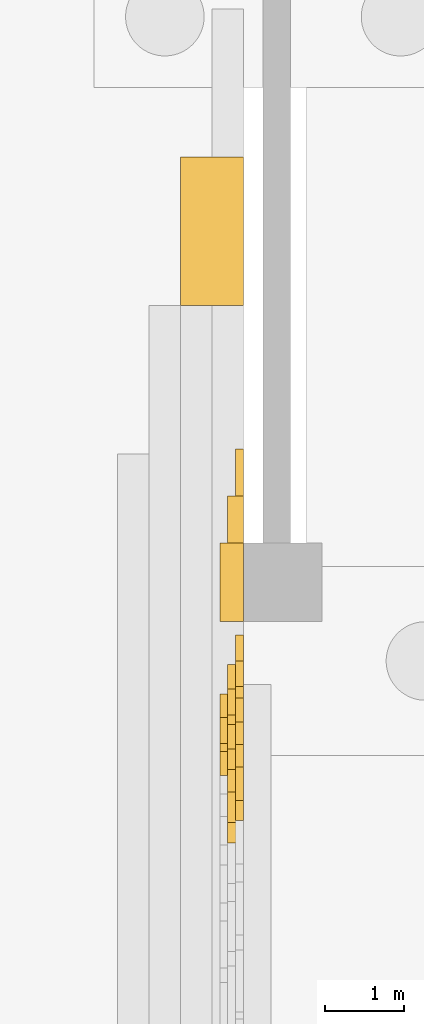
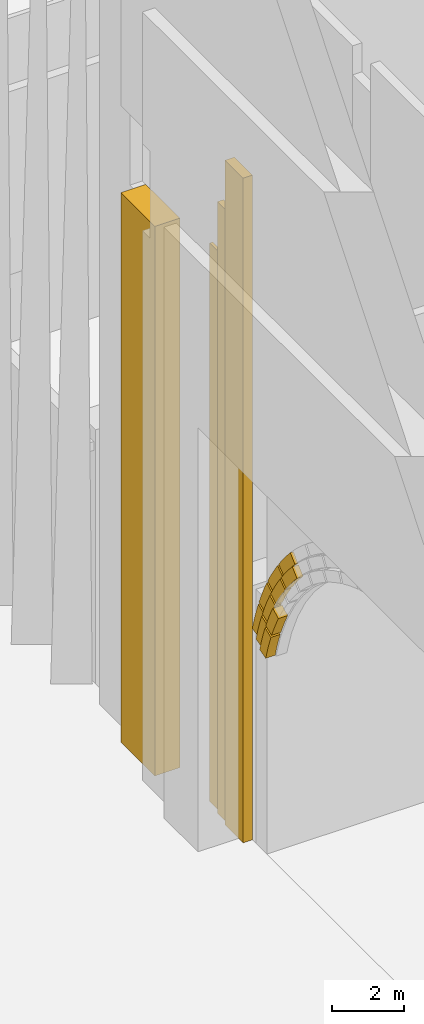
# One storey, part 22 of 32: 14 coverings.
"""IFC4 building model written with IfcOpenShell, lengths in metres."""

import ifcopenshell
import ifcopenshell.guid

model = None  # the IFC model being written
_history = None  # IfcOwnerHistory: only IFC2X3 demands one
_inside = {}  # id of a spatial element -> (the spatial element, [elements in it])
_under = {}  # id of a project, library or spatial element -> (it, [spatial elements below it])
_declared = {}  # id of a project -> (the project, [libraries it declares])
_typed = {}  # id of a type object -> (the type object, [elements of that type])
_made_of = {}  # id of a material, layer set ... -> (it, [elements and type objects made of it])


def new_model(schema):
    """Start an empty IFC model of exactly this schema.

    Asked for "IFC4X3", IfcOpenShell would pick the latest addendum, in which some entities
    have other attributes; the version numbers below select the first issue.
    IFC2X3 requires an IfcOwnerHistory on every rooted entity: one is made here for all.
    """
    global model, _history
    if schema == "IFC4X3":
        model = ifcopenshell.file(schema_version=(4, 3, 0, 0))
    else:
        model = ifcopenshell.file(schema=schema)
    _inside.clear()
    _under.clear()
    _declared.clear()
    _typed.clear()
    _made_of.clear()
    _history = None
    if model.schema == "IFC2X3":
        org = make("IfcOrganization", Name="unknown")
        user = make(
            "IfcPersonAndOrganization",
            ThePerson=make("IfcPerson", FamilyName="unknown"),
            TheOrganization=org,
        )
        app = make(
            "IfcApplication",
            ApplicationDeveloper=org,
            Version="unknown",
            ApplicationFullName="unknown",
            ApplicationIdentifier="unknown",
        )
        _history = make(
            "IfcOwnerHistory",
            OwningUser=user,
            OwningApplication=app,
            ChangeAction="ADDED",
            CreationDate=0,
        )
    return model


def make(cls, **values):
    """One entity of the class cls with the attributes given. An attribute that is None is left unset."""
    return model.create_entity(
        cls, **{name: value for name, value in values.items() if value is not None}
    )


def rooted(cls, **values):
    """An entity with a GlobalId (a new one), such as an element, a storey or a relation."""
    return make(cls, GlobalId=ifcopenshell.guid.new(), OwnerHistory=_history, **values)


def si_unit(unit_type, name, prefix=None):
    """IfcSIUnit, for example si_unit("LENGTHUNIT", "METRE", prefix="MILLI")."""
    return make("IfcSIUnit", UnitType=unit_type, Prefix=prefix, Name=name)


def assignment(units):
    """IfcUnitAssignment: the units of a project."""
    return None if units is None else make("IfcUnitAssignment", Units=units)


def point(xyz):
    """IfcCartesianPoint."""
    return None if xyz is None else make("IfcCartesianPoint", Coordinates=xyz)


def direction(xyz):
    """IfcDirection."""
    return None if xyz is None else make("IfcDirection", DirectionRatios=xyz)


def frame(location, z_axis=None, x_axis=None):
    """IfcAxis2Placement3D, a coordinate frame: its origin and axes. An axis left out is left unset."""
    return make(
        "IfcAxis2Placement3D",
        Location=point(location),
        Axis=direction(z_axis),
        RefDirection=direction(x_axis),
    )


def frame_2d(location, x_axis=None):
    """IfcAxis2Placement2D, a coordinate frame in the plane: its origin and x axis."""
    return make(
        "IfcAxis2Placement2D", Location=point(location), RefDirection=direction(x_axis)
    )


def origin():
    """The frame at (0, 0, 0) with its axes left unset."""
    return frame((0.0, 0.0, 0.0))


def origin_2d():
    """The frame at (0, 0) in the plane with its x axis left unset."""
    return frame_2d((0.0, 0.0))


def place(relative_to, where):
    """IfcLocalPlacement: puts the frame where relative to a parent placement (None: the world)."""
    return make(
        "IfcLocalPlacement", PlacementRelTo=relative_to, RelativePlacement=where
    )


def context(
    kind, dimensions, precision=None, world=None, true_north=None, identifier=None
):
    """IfcGeometricRepresentationContext, for example the 3D "Model" context."""
    return make(
        "IfcGeometricRepresentationContext",
        ContextIdentifier=identifier,
        ContextType=kind,
        CoordinateSpaceDimension=dimensions,
        Precision=precision,
        WorldCoordinateSystem=world,
        TrueNorth=true_north,
    )


def subcontext(parent, identifier, kind, view, scale=None):
    """IfcGeometricRepresentationSubContext, for example "Body" below "Model"."""
    return make(
        "IfcGeometricRepresentationSubContext",
        ContextIdentifier=identifier,
        ContextType=kind,
        ParentContext=parent,
        TargetScale=scale,
        TargetView=view,
    )


def project(units=None, contexts=None):
    """IfcProject with its units and contexts."""
    return rooted(
        "IfcProject",
        Name="project",
        RepresentationContexts=contexts,
        UnitsInContext=assignment(units),
    )


def spatial(cls, under=None, at=None, **own):
    """A site, building, storey or space (cls), placed at a placement, below another one or the project."""
    s = rooted(cls, ObjectPlacement=at, **own)
    if under is not None:
        _under.setdefault(under.id(), (under, []))[1].append(s)
    return s


def polyline(points):
    """IfcPolyline through the points."""
    return make("IfcPolyline", Points=[point(p) for p in points])


def profile(cls, at=None, kind="AREA", **sizes):
    """A parametric profile (cls). Its sizes go by their IFC names, for example OverallWidth=200.0."""
    return make(cls, ProfileType=kind, Position=at, **sizes)


def rectangle(**sizes):
    """IfcRectangleProfileDef."""
    return profile("IfcRectangleProfileDef", **sizes)


def outline(outer, holes=None, kind="AREA"):
    """IfcArbitraryClosedProfileDef: a profile drawn as a closed curve; with holes, ...WithVoids."""
    if holes is None:
        return make("IfcArbitraryClosedProfileDef", ProfileType=kind, OuterCurve=outer)
    return make(
        "IfcArbitraryProfileDefWithVoids",
        ProfileType=kind,
        OuterCurve=outer,
        InnerCurves=holes,
    )


def extrude(swept, where, along, depth):
    """IfcExtrudedAreaSolid: the profile swept, set in the frame where, extruded along a direction by depth."""
    return make(
        "IfcExtrudedAreaSolid",
        SweptArea=swept,
        Position=where,
        ExtrudedDirection=direction(along),
        Depth=depth,
    )


def shape(context_of_items, identifier, shape_type, items):
    """IfcShapeRepresentation: the items that make up one representation, for example the "Body"."""
    return make(
        "IfcShapeRepresentation",
        ContextOfItems=context_of_items,
        RepresentationIdentifier=identifier,
        RepresentationType=shape_type,
        Items=items,
    )


def material(Name=None, Category=None):
    """IfcMaterial."""
    return make("IfcMaterial", Name=Name, Category=Category)


def made_of(thing, what):
    """Note that an element or type object is made of a material, layer set ...; save() writes the relation."""
    if what is not None:
        _made_of.setdefault(what.id(), (what, []))[1].append(thing)
    return thing


def type_object(cls, material=None, **own):
    """A type object (cls), such as IfcWallType, which elements share."""
    return made_of(rooted(cls, **own), material)


def element(
    cls,
    number,
    at=None,
    inside=None,
    cuts=None,
    type_object=None,
    material=None,
    context=None,
    identifier="Body",
    shape_type=None,
    held_by="IfcProductDefinitionShape",
    body=None,
    shapes=None,
    **own,
):
    """One element of the class cls, such as IfcWall. Its Tag is "e" and its number.

    at: its placement. inside: the storey or other place that contains it. cuts: it is an
    opening in that element (IfcRelVoidsElement). A single representation is given by context,
    identifier, shape_type and body (its items); several are given by shapes. held_by: the class
    of the entity that holds the representations. save() writes the other relations.
    """
    e = rooted(cls, Tag="e%d" % number, ObjectPlacement=at, **own)
    if body is not None:
        shapes = [shape(context, identifier, shape_type, body)]
    if shapes is not None:
        e.Representation = make(held_by, Representations=shapes)
    if inside is not None:
        _inside.setdefault(inside.id(), (inside, []))[1].append(e)
    if cuts is not None:
        rooted(
            "IfcRelVoidsElement", RelatingBuildingElement=cuts, RelatedOpeningElement=e
        )
    if type_object is not None:
        _typed.setdefault(type_object.id(), (type_object, []))[1].append(e)
    return made_of(e, material)


def aggregate(whole, parts):
    """IfcRelAggregates: a whole, such as a stair, and the parts it consists of."""
    return rooted("IfcRelAggregates", RelatingObject=whole, RelatedObjects=parts)


def save(model, path):
    """Write the relations noted so far, then the file.

    IfcRelAggregates (storeys below a building ...), IfcRelContainedInSpatialStructure (elements
    in a storey), IfcRelDefinesByType, IfcRelAssociatesMaterial and IfcRelDeclares: one each for
    every whole, place, type object, material and project.
    """
    for whole, parts in _under.values():
        aggregate(whole, parts)
    for where, things in _inside.values():
        rooted(
            "IfcRelContainedInSpatialStructure",
            RelatedElements=things,
            RelatingStructure=where,
        )
    for kind, things in _typed.values():
        rooted("IfcRelDefinesByType", RelatedObjects=things, RelatingType=kind)
    for what, things in _made_of.values():
        rooted("IfcRelAssociatesMaterial", RelatedObjects=things, RelatingMaterial=what)
    for by, libraries in _declared.values():
        rooted("IfcRelDeclares", RelatingContext=by, RelatedDefinitions=libraries)
    model.write(path)


model = new_model("IFC4")

# Units and contexts
model_context = context("Model", 3, precision=1e-05, world=origin(), true_north=direction((0.0, 1.0)))
body_context = subcontext(model_context, "Body", "Model", "MODEL_VIEW")
ifc_project = project(units=[si_unit("LENGTHUNIT", "METRE"), si_unit("AREAUNIT", "SQUARE_METRE"), si_unit("VOLUMEUNIT", "CUBIC_METRE"), si_unit("PLANEANGLEUNIT", "RADIAN"), si_unit("MASSUNIT", "GRAM", prefix="KILO")], contexts=[model_context])

# Site, building, storey
site_placement = place(None, origin())
site = spatial("IfcSite", under=ifc_project, at=site_placement, CompositionType="ELEMENT")
building_placement = place(site_placement, origin())
building = spatial("IfcBuilding", under=site, at=building_placement, Name="Isthmus Gate Tower", CompositionType="ELEMENT")
storey_placement = place(building_placement, origin())
storey = spatial("IfcBuildingStorey", under=building, at=storey_placement, Name="L00", CompositionType="ELEMENT", Elevation=0.0)

# Coverings
ifc_material_1 = material(Name="Precast concrete C50/60, limestone-faced", Category="masonry")
covering_type_1 = type_object("IfcCoveringType", Name="ARCHIVOLT BAND 350 X 100", PredefinedType="CLADDING", material=ifc_material_1)
covering_1_placement = place(storey_placement, frame((-52.10009765625, -11.474365234375, 11.131103515625), z_axis=(-1.0, 0.0, 0.0), x_axis=(0.0, 0.670661695568, -0.741763365298)))
element("IfcCovering", 1, at=covering_1_placement, inside=storey, type_object=covering_type_1, Name="ARCHIVOLT BAND", PredefinedType="CLADDING", context=body_context, shape_type="SweptSolid", body=[
    extrude(outline(polyline([(0.0, 0.0), (0.2540925736123861, 0.0), (0.5080237572438591, 0.007095060120200974), (0.7617935508944189, 0.021285180360602896), (1.0148933884614206, 0.04276881409889838), (0.9803986258258475, 0.39107372738316126), (0.7370234729227035, 0.37048336842294305), (0.4934695712325601, 0.3566432392458004), (0.24940944922437797, 0.3499155289949453), (0.005351673000802248, 0.3501017842926851), (0.0, 0.0)])), origin(), (0.0, 0.0, -1.0), 0.10009765625),
])
covering_2_placement = place(storey_placement, frame((-52.10009765625, -10.765380859375, 10.267333984375), z_axis=(-1.0, 0.0, 0.0), x_axis=(0.0, 0.573397881819, -0.819277040522)))
element("IfcCovering", 2, at=covering_2_placement, inside=storey, type_object=covering_type_1, Name="ARCHIVOLT BAND", PredefinedType="CLADDING", context=body_context, shape_type="SweptSolid", body=[
    extrude(outline(polyline([(0.0, 0.0), (0.25418990503190597, 0.0), (0.5082803868810479, 0.007380295411122506), (0.7618714079299836, 0.02186090679888575), (1.0148229784614722, 0.043641852972010786), (0.9800490168238273, 0.39179815565924236), (0.7368978989423948, 0.37091647341512707), (0.49304730145203507, 0.3569951174304117), (0.2491772414046719, 0.3499140295221357), (0.005007739365823605, 0.35007324730774136), (0.0, 0.0)])), origin(), (0.0, 0.0, -1.0), 0.10009765625),
])
covering_3_placement = place(storey_placement, frame((-52.10009765625, -10.169677734375, 9.321533203125), z_axis=(-1.0, 0.0, 0.0), x_axis=(0.0, 0.465944398312, -0.884814001744)))
element("IfcCovering", 3, at=covering_3_placement, inside=storey, type_object=covering_type_1, Name="ARCHIVOLT BAND", PredefinedType="CLADDING", context=body_context, shape_type="SweptSolid", body=[
    extrude(outline(polyline([(0.0, 0.0), (0.25412517792657496, 0.0), (0.5081009485451778, 0.0070953225643045625), (0.7615975368557952, 0.021388230779688933), (1.0148309619018212, 0.042992480602772276), (0.980083559944482, 0.39139624989170674), (0.7368789538533512, 0.37065842172584273), (0.49309290236745956, 0.3567884042110448), (0.24915744357359587, 0.35001370926055153), (0.004970314384984881, 0.35000456187434914), (0.0, 0.0)])), origin(), (0.0, 0.0, -1.0), 0.10009765625),
])
covering_4_placement = place(storey_placement, frame((-52.10009765625, -9.697265625, 8.308837890625), z_axis=(-1.0, 0.0, 0.0), x_axis=(0.0, 0.35142430043, -0.936216300364)))
element("IfcCovering", 4, at=covering_4_placement, inside=storey, type_object=covering_type_1, Name="ARCHIVOLT BAND", PredefinedType="CLADDING", context=body_context, shape_type="SweptSolid", body=[
    extrude(outline(polyline([(0.0, 0.0), (0.2667715348236104, 0.0), (0.5336261854409321, 0.00811518479405382), (0.7999640435021941, 0.023859595104414016), (1.065756286595061, 0.04800473317754578), (1.0290405550117543, 0.39591605074583314), (0.7737061555760137, 0.37308870017622076), (0.5179407605325606, 0.35766200669020864), (0.2616585729330477, 0.3498645387205028), (0.005316729642887166, 0.3498678901637976), (0.0, 0.0)])), origin(), (0.0, 0.0, -1.0), 0.10009765625),
])
ifc_material_2 = material(Name="Precast concrete C50/60, limestone-faced", Category="masonry")
covering_type_2 = type_object("IfcCoveringType", Name="ARCHIVOLT BAND 350 X 200", PredefinedType="CLADDING", material=ifc_material_2)
covering_5_placement = place(storey_placement, frame((-52.199951171875, -11.75830078125, 10.863525390625), z_axis=(-1.0, 0.0, 0.0), x_axis=(0.0, 0.670913323969, -0.741535779124)))
element("IfcCovering", 5, at=covering_5_placement, inside=storey, type_object=covering_type_2, Name="ARCHIVOLT BAND", PredefinedType="CLADDING", context=body_context, shape_type="SweptSolid", body=[
    extrude(outline(polyline([(0.0, 0.0), (0.24198880812876972, -1.3877787807814457e-17), (0.48361553824038916, 0.006586371550066972), (0.725078471153774, 0.020267748055245338), (0.9658517316535393, 0.040897574127640945), (0.9312387973950066, 0.3891907639106985), (0.7003709569358526, 0.369621309174243), (0.468778960442398, 0.35631063159138515), (0.23700592494036832, 0.34975012275682893), (0.005051850429763444, 0.3499397826705743), (0.0, 0.0)])), origin(), (0.0, 0.0, -1.0), 0.199951171875),
])
covering_6_placement = place(storey_placement, frame((-52.199951171875, -11.080322265625, 10.037353515625), z_axis=(-1.0, 0.0, 0.0), x_axis=(0.0, 0.573191402996, -0.819421512734)))
element("IfcCovering", 6, at=covering_6_placement, inside=storey, type_object=covering_type_2, Name="ARCHIVOLT BAND", PredefinedType="CLADDING", context=body_context, shape_type="SweptSolid", body=[
    extrude(outline(polyline([(0.0, 0.0), (0.24192943975630743, -1.3877787807814457e-17), (0.48370120141980116, 0.007040326844129585), (0.7250551161373388, 0.020641047837387183), (0.9659113593744333, 0.04134221044765962), (0.9312251354196699, 0.38950726523716533), (0.700169571139024, 0.36970289677977064), (0.46855622060504987, 0.35665897655176126), (0.23686501651274894, 0.35011533569999465), (0.004895904781863913, 0.3499320349170988), (0.0, 0.0)])), origin(), (0.0, 0.0, -1.0), 0.199951171875),
])
covering_7_placement = place(storey_placement, frame((-52.199951171875, -10.510986328125, 9.1328125), z_axis=(-1.0, 0.0, 0.0), x_axis=(0.0, 0.465704796944, -0.884940134757)))
element("IfcCovering", 7, at=covering_7_placement, inside=storey, type_object=covering_type_2, Name="ARCHIVOLT BAND", PredefinedType="CLADDING", context=body_context, shape_type="SweptSolid", body=[
    extrude(outline(polyline([(0.0, 0.0), (0.24167418687454179, 0.0), (0.48342828259312265, 0.006663263084578763), (0.7250348922353598, 0.020421888928910614), (0.9659595637486833, 0.04071873531483411), (0.9313065016137778, 0.3891319005112663), (0.700308530914431, 0.3693690129134433), (0.46873097446356654, 0.3564740931549906), (0.2371309744793452, 0.3499126891833382), (0.00506508620379742, 0.35000320321346884), (0.0, 0.0)])), origin(), (0.0, 0.0, -1.0), 0.199951171875),
])
covering_8_placement = place(storey_placement, frame((-52.199951171875, -10.059326171875, 8.164306640625), z_axis=(-1.0, 0.0, 0.0), x_axis=(0.0, 0.35080830084, -0.936447294866)))
element("IfcCovering", 8, at=covering_8_placement, inside=storey, type_object=covering_type_2, Name="ARCHIVOLT BAND", PredefinedType="CLADDING", context=body_context, shape_type="SweptSolid", body=[
    extrude(outline(polyline([(0.0, 0.0), (0.2547130969705741, 0.0), (0.509228692042782, 0.007486585585818439), (0.7632325138309531, 0.022602735027481086), (1.0167245623350878, 0.04534844832498791), (0.9804663494886952, 0.39336949192417586), (0.7372900310623787, 0.371620414391055), (0.4934589610819998, 0.35718662932810785), (0.24951603576107695, 0.3500108050231311), (0.005461255099610249, 0.35009294147612463), (0.0, 0.0)])), origin(), (0.0, 0.0, -1.0), 0.199951171875),
])
ifc_material_3 = material(Name="Precast concrete C50/60, limestone-faced", Category="masonry")
covering_type_3 = type_object("IfcCoveringType", Name="ARCHIVOLT BAND 350 X 300", PredefinedType="CLADDING", material=ifc_material_3)
covering_9_placement = place(storey_placement, frame((-52.300048828125, -10.852294921875, 8.944091796875), z_axis=(-1.0, 0.0, 0.0), x_axis=(0.0, 0.465834098292, -0.884872077121)))
element("IfcCovering", 9, at=covering_9_placement, inside=storey, type_object=covering_type_3, Name="ARCHIVOLT BAND", PredefinedType="CLADDING", context=body_context, shape_type="SweptSolid", body=[
    extrude(outline(polyline([(0.0, 0.0), (0.22955295488686275, 0.0), (0.4589688117674859, 0.006549545661720835), (0.6883612996697727, 0.019432603763209155), (0.9170708940940098, 0.038853782692565064), (0.8824806516712456, 0.38704584748653503), (0.6636862550997864, 0.36870587328820537), (0.4443341189120343, 0.35614219122397983), (0.22462885149608913, 0.35001432579357183), (0.005013944129710984, 0.3500039395809779), (0.0, 0.0)])), origin(), (0.0, 0.0, -1.0), 0.300048828125),
])
covering_10_placement = place(storey_placement, frame((-52.300048828125, -10.421630859375, 8.01953125), z_axis=(-1.0, 0.0, 0.0), x_axis=(0.0, 0.350792014763, -0.936453395732)))
element("IfcCovering", 10, at=covering_10_placement, inside=storey, type_object=covering_type_3, Name="ARCHIVOLT BAND", PredefinedType="CLADDING", context=body_context, shape_type="SweptSolid", body=[
    extrude(outline(polyline([(0.0, 0.0), (0.2421974672296901, 0.0), (0.48459747424318245, 0.007114978966592911), (0.7263428569250662, 0.02154526178922586), (0.9677478841743878, 0.04314786473231064), (0.9314957238675186, 0.3911695388558733), (0.700406444027234, 0.37056339227319574), (0.4688338250187992, 0.3568152969119234), (0.23709213574126115, 0.3497822690364679), (0.0052387173484785415, 0.35000720386319356), (0.0, 0.0)])), origin(), (0.0, 0.0, -1.0), 0.300048828125),
])
ifc_material_4 = material(Name="Precast concrete C50/60, limestone-faced", Category="masonry")
covering_type_4 = type_object("IfcCoveringType", Name="PORTAL RELIEF BAND 1000 X 300", PredefinedType="CLADDING", material=ifc_material_4)
covering_11_placement = place(storey_placement, frame((-52.14990234375, -8.699951171875, 0.0), z_axis=(0.0, 0.0, 1.0), x_axis=(1.0, 0.0, 0.0)))
element("IfcCovering", 11, at=covering_11_placement, inside=storey, type_object=covering_type_4, Name="PORTAL RELIEF", PredefinedType="CLADDING", context=body_context, shape_type="SweptSolid", body=[
    extrude(rectangle(XDim=0.300048828125, YDim=1.0, at=origin_2d()), origin(), (0.0, 0.0, 1.0), 22.5),
])
ifc_material_5 = material(Name="Precast concrete C50/60, limestone-faced", Category="masonry")
covering_type_5 = type_object("IfcCoveringType", Name="PORTAL RELIEF BAND 600 X 100", PredefinedType="CLADDING", material=ifc_material_5)
covering_12_placement = place(storey_placement, frame((-52.050048828125, -7.300048828125, 0.0), z_axis=(0.0, 0.0, 1.0), x_axis=(1.0, 0.0, 0.0)))
element("IfcCovering", 12, at=covering_12_placement, inside=storey, type_object=covering_type_5, Name="PORTAL RELIEF", PredefinedType="CLADDING", context=body_context, shape_type="SweptSolid", body=[
    extrude(rectangle(XDim=0.10009765625, YDim=0.60009765625, at=origin_2d()), origin(), (0.0, 0.0, 1.0), 18.89990234375),
])
ifc_material_6 = material(Name="Precast concrete C50/60, limestone-faced", Category="masonry")
covering_type_6 = type_object("IfcCoveringType", Name="PORTAL RELIEF BAND 600 X 200", PredefinedType="CLADDING", material=ifc_material_6)
covering_13_placement = place(storey_placement, frame((-52.10009765625, -7.89990234375, 0.0), z_axis=(0.0, 0.0, 1.0), x_axis=(1.0, 0.0, 0.0)))
element("IfcCovering", 13, at=covering_13_placement, inside=storey, type_object=covering_type_6, Name="PORTAL RELIEF", PredefinedType="CLADDING", context=body_context, shape_type="SweptSolid", body=[
    extrude(rectangle(XDim=0.199951171875, YDim=0.60009765625, at=origin_2d()), origin(), (0.0, 0.0, 1.0), 20.699951171875),
])
ifc_material_7 = material(Name="Precast concrete C50/60, limestone-faced", Category="masonry")
covering_type_7 = type_object("IfcCoveringType", Name="PORTAL SURROUND BAND 1888 X 800", PredefinedType="CLADDING", material=ifc_material_7)
covering_14_placement = place(storey_placement, frame((-52.800048828125, -3.28759765625, 0.0), z_axis=(-1.0, 0.0, 0.0), x_axis=(0.0, -1.0, 0.0)))
element("IfcCovering", 14, at=covering_14_placement, inside=storey, type_object=covering_type_7, Name="PORTAL SURROUND BAND", PredefinedType="CLADDING", context=body_context, shape_type="SweptSolid", body=[
    extrude(outline(polyline([(0.0, 0.0), (1.887451171875, 0.0), (1.887451171875, 18.60009765625), (0.0, 18.60009765625), (0.0, 0.0)])), origin(), (0.0, 0.0, -1.0), 0.800048828125),
])

save(model, "model.ifc")
